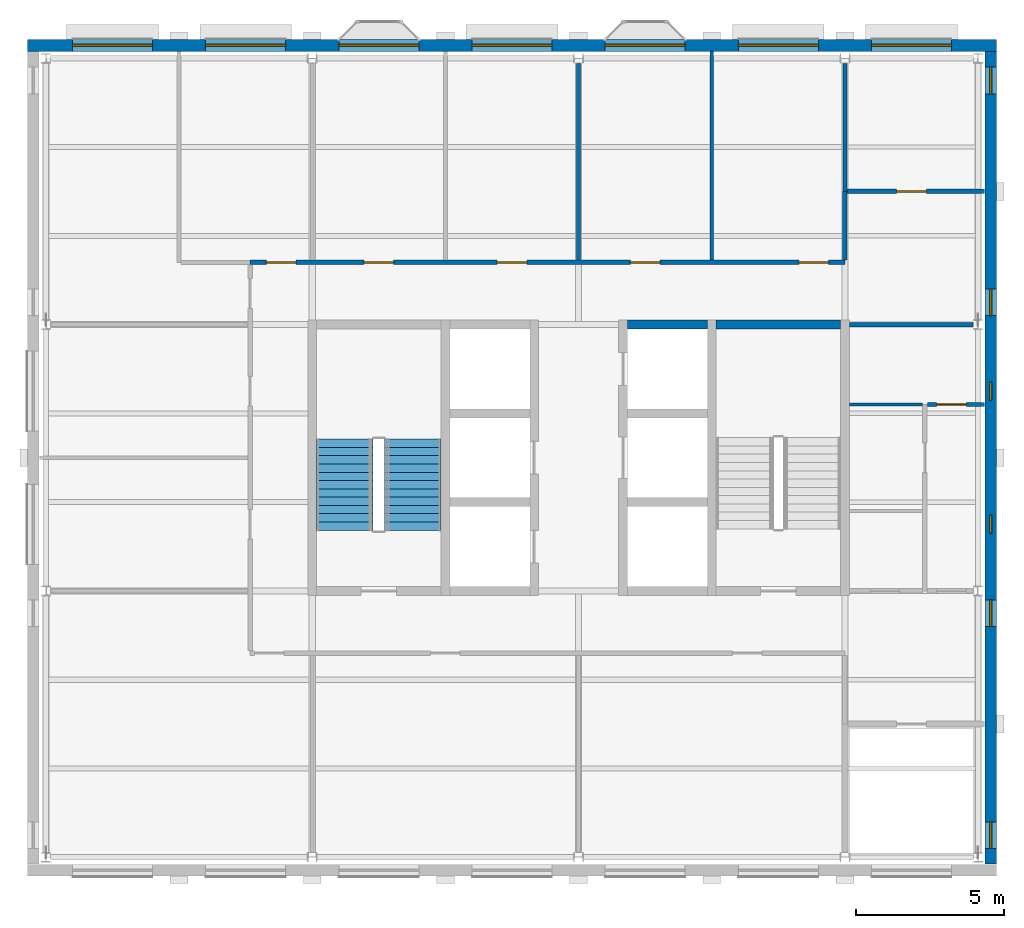
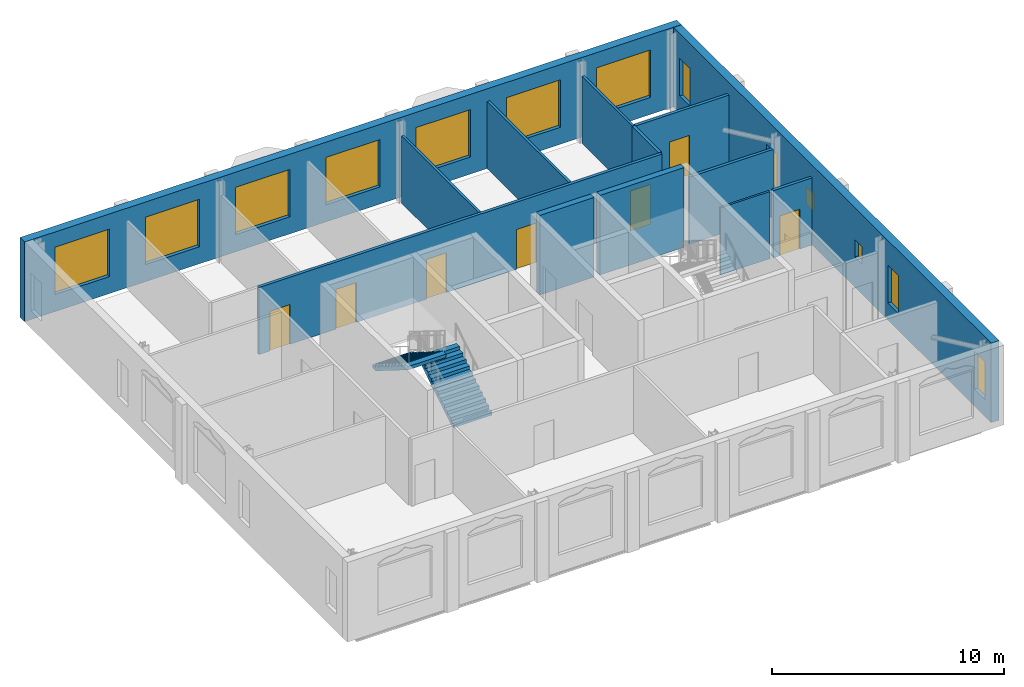
# One storey, part 5 of 9: 13 walls, 13 windows, 7 doors, 2 stair flights, 20 openings, 1 element without a shape of its own.
"""IFC4 building model written with IfcOpenShell, lengths in metres."""

import ifcopenshell
import ifcopenshell.guid

model = None  # the IFC model being written
_history = None  # IfcOwnerHistory: only IFC2X3 demands one
_inside = {}  # id of a spatial element -> (the spatial element, [elements in it])
_under = {}  # id of a project, library or spatial element -> (it, [spatial elements below it])
_declared = {}  # id of a project -> (the project, [libraries it declares])
_typed = {}  # id of a type object -> (the type object, [elements of that type])
_made_of = {}  # id of a material, layer set ... -> (it, [elements and type objects made of it])


def new_model(schema):
    """Start an empty IFC model of exactly this schema.

    Asked for "IFC4X3", IfcOpenShell would pick the latest addendum, in which some entities
    have other attributes; the version numbers below select the first issue.
    IFC2X3 requires an IfcOwnerHistory on every rooted entity: one is made here for all.
    """
    global model, _history
    if schema == "IFC4X3":
        model = ifcopenshell.file(schema_version=(4, 3, 0, 0))
    else:
        model = ifcopenshell.file(schema=schema)
    _inside.clear()
    _under.clear()
    _declared.clear()
    _typed.clear()
    _made_of.clear()
    _history = None
    if model.schema == "IFC2X3":
        org = make("IfcOrganization", Name="unknown")
        user = make(
            "IfcPersonAndOrganization",
            ThePerson=make("IfcPerson", FamilyName="unknown"),
            TheOrganization=org,
        )
        app = make(
            "IfcApplication",
            ApplicationDeveloper=org,
            Version="unknown",
            ApplicationFullName="unknown",
            ApplicationIdentifier="unknown",
        )
        _history = make(
            "IfcOwnerHistory",
            OwningUser=user,
            OwningApplication=app,
            ChangeAction="ADDED",
            CreationDate=0,
        )
    return model


def make(cls, **values):
    """One entity of the class cls with the attributes given. An attribute that is None is left unset."""
    return model.create_entity(
        cls, **{name: value for name, value in values.items() if value is not None}
    )


def rooted(cls, **values):
    """An entity with a GlobalId (a new one), such as an element, a storey or a relation."""
    return make(cls, GlobalId=ifcopenshell.guid.new(), OwnerHistory=_history, **values)


def si_unit(unit_type, name, prefix=None):
    """IfcSIUnit, for example si_unit("LENGTHUNIT", "METRE", prefix="MILLI")."""
    return make("IfcSIUnit", UnitType=unit_type, Prefix=prefix, Name=name)


def assignment(units):
    """IfcUnitAssignment: the units of a project."""
    return None if units is None else make("IfcUnitAssignment", Units=units)


def point(xyz):
    """IfcCartesianPoint."""
    return None if xyz is None else make("IfcCartesianPoint", Coordinates=xyz)


def direction(xyz):
    """IfcDirection."""
    return None if xyz is None else make("IfcDirection", DirectionRatios=xyz)


def frame(location, z_axis=None, x_axis=None):
    """IfcAxis2Placement3D, a coordinate frame: its origin and axes. An axis left out is left unset."""
    return make(
        "IfcAxis2Placement3D",
        Location=point(location),
        Axis=direction(z_axis),
        RefDirection=direction(x_axis),
    )


def frame_2d(location, x_axis=None):
    """IfcAxis2Placement2D, a coordinate frame in the plane: its origin and x axis."""
    return make(
        "IfcAxis2Placement2D", Location=point(location), RefDirection=direction(x_axis)
    )


def origin():
    """The frame at (0, 0, 0) with its axes left unset."""
    return frame((0.0, 0.0, 0.0))


def place(relative_to, where):
    """IfcLocalPlacement: puts the frame where relative to a parent placement (None: the world)."""
    return make(
        "IfcLocalPlacement", PlacementRelTo=relative_to, RelativePlacement=where
    )


def context(
    kind, dimensions, precision=None, world=None, true_north=None, identifier=None
):
    """IfcGeometricRepresentationContext, for example the 3D "Model" context."""
    return make(
        "IfcGeometricRepresentationContext",
        ContextIdentifier=identifier,
        ContextType=kind,
        CoordinateSpaceDimension=dimensions,
        Precision=precision,
        WorldCoordinateSystem=world,
        TrueNorth=true_north,
    )


def subcontext(parent, identifier, kind, view, scale=None):
    """IfcGeometricRepresentationSubContext, for example "Body" below "Model"."""
    return make(
        "IfcGeometricRepresentationSubContext",
        ContextIdentifier=identifier,
        ContextType=kind,
        ParentContext=parent,
        TargetScale=scale,
        TargetView=view,
    )


def project(units=None, contexts=None):
    """IfcProject with its units and contexts."""
    return rooted(
        "IfcProject",
        Name="project",
        RepresentationContexts=contexts,
        UnitsInContext=assignment(units),
    )


def spatial(cls, under=None, at=None, **own):
    """A site, building, storey or space (cls), placed at a placement, below another one or the project."""
    s = rooted(cls, ObjectPlacement=at, **own)
    if under is not None:
        _under.setdefault(under.id(), (under, []))[1].append(s)
    return s


def polyline(points):
    """IfcPolyline through the points."""
    return make("IfcPolyline", Points=[point(p) for p in points])


def profile(cls, at=None, kind="AREA", **sizes):
    """A parametric profile (cls). Its sizes go by their IFC names, for example OverallWidth=200.0."""
    return make(cls, ProfileType=kind, Position=at, **sizes)


def rectangle(**sizes):
    """IfcRectangleProfileDef."""
    return profile("IfcRectangleProfileDef", **sizes)


def outline(outer, holes=None, kind="AREA"):
    """IfcArbitraryClosedProfileDef: a profile drawn as a closed curve; with holes, ...WithVoids."""
    if holes is None:
        return make("IfcArbitraryClosedProfileDef", ProfileType=kind, OuterCurve=outer)
    return make(
        "IfcArbitraryProfileDefWithVoids",
        ProfileType=kind,
        OuterCurve=outer,
        InnerCurves=holes,
    )


def extrude(swept, where, along, depth):
    """IfcExtrudedAreaSolid: the profile swept, set in the frame where, extruded along a direction by depth."""
    return make(
        "IfcExtrudedAreaSolid",
        SweptArea=swept,
        Position=where,
        ExtrudedDirection=direction(along),
        Depth=depth,
    )


def shape(context_of_items, identifier, shape_type, items):
    """IfcShapeRepresentation: the items that make up one representation, for example the "Body"."""
    return make(
        "IfcShapeRepresentation",
        ContextOfItems=context_of_items,
        RepresentationIdentifier=identifier,
        RepresentationType=shape_type,
        Items=items,
    )


def material(Name=None, Category=None):
    """IfcMaterial."""
    return make("IfcMaterial", Name=Name, Category=Category)


def layer(
    of_material, thickness, ventilated=None, Name=None, Category=None, Priority=None
):
    """IfcMaterialLayer: one layer of a wall or slab, of a material (None: an air gap)."""
    return make(
        "IfcMaterialLayer",
        Material=of_material,
        LayerThickness=thickness,
        IsVentilated=ventilated,
        Name=Name,
        Category=Category,
        Priority=Priority,
    )


def layer_set(layers, Name=None):
    """IfcMaterialLayerSet."""
    return make("IfcMaterialLayerSet", MaterialLayers=layers, LayerSetName=Name)


def made_of(thing, what):
    """Note that an element or type object is made of a material, layer set ...; save() writes the relation."""
    if what is not None:
        _made_of.setdefault(what.id(), (what, []))[1].append(thing)
    return thing


def type_object(cls, material=None, **own):
    """A type object (cls), such as IfcWallType, which elements share."""
    return made_of(rooted(cls, **own), material)


def element(
    cls,
    number,
    at=None,
    inside=None,
    cuts=None,
    type_object=None,
    material=None,
    context=None,
    identifier="Body",
    shape_type=None,
    held_by="IfcProductDefinitionShape",
    body=None,
    shapes=None,
    **own,
):
    """One element of the class cls, such as IfcWall. Its Tag is "e" and its number.

    at: its placement. inside: the storey or other place that contains it. cuts: it is an
    opening in that element (IfcRelVoidsElement). A single representation is given by context,
    identifier, shape_type and body (its items); several are given by shapes. held_by: the class
    of the entity that holds the representations. save() writes the other relations.
    """
    e = rooted(cls, Tag="e%d" % number, ObjectPlacement=at, **own)
    if body is not None:
        shapes = [shape(context, identifier, shape_type, body)]
    if shapes is not None:
        e.Representation = make(held_by, Representations=shapes)
    if inside is not None:
        _inside.setdefault(inside.id(), (inside, []))[1].append(e)
    if cuts is not None:
        rooted(
            "IfcRelVoidsElement", RelatingBuildingElement=cuts, RelatedOpeningElement=e
        )
    if type_object is not None:
        _typed.setdefault(type_object.id(), (type_object, []))[1].append(e)
    return made_of(e, material)


def fill(opening, filler):
    """IfcRelFillsElement: the door or window that sits in an opening."""
    return rooted(
        "IfcRelFillsElement",
        RelatingOpeningElement=opening,
        RelatedBuildingElement=filler,
    )


def aggregate(whole, parts):
    """IfcRelAggregates: a whole, such as a stair, and the parts it consists of."""
    return rooted("IfcRelAggregates", RelatingObject=whole, RelatedObjects=parts)


def save(model, path):
    """Write the relations noted so far, then the file.

    IfcRelAggregates (storeys below a building ...), IfcRelContainedInSpatialStructure (elements
    in a storey), IfcRelDefinesByType, IfcRelAssociatesMaterial and IfcRelDeclares: one each for
    every whole, place, type object, material and project.
    """
    for whole, parts in _under.values():
        aggregate(whole, parts)
    for where, things in _inside.values():
        rooted(
            "IfcRelContainedInSpatialStructure",
            RelatedElements=things,
            RelatingStructure=where,
        )
    for kind, things in _typed.values():
        rooted("IfcRelDefinesByType", RelatedObjects=things, RelatingType=kind)
    for what, things in _made_of.values():
        rooted("IfcRelAssociatesMaterial", RelatedObjects=things, RelatingMaterial=what)
    for by, libraries in _declared.values():
        rooted("IfcRelDeclares", RelatingContext=by, RelatedDefinitions=libraries)
    model.write(path)


model = new_model("IFC4")

# Units and contexts
model_context = context("Model", 3, precision=1e-05, world=origin(), true_north=direction((0.0, 1.0)))
body_context = subcontext(model_context, "Body", "Model", "MODEL_VIEW")
ifc_project = project(units=[si_unit("LENGTHUNIT", "METRE"), si_unit("AREAUNIT", "SQUARE_METRE"), si_unit("VOLUMEUNIT", "CUBIC_METRE"), si_unit("PLANEANGLEUNIT", "RADIAN"), si_unit("MASSUNIT", "GRAM", prefix="KILO")], contexts=[model_context])

# Site, building, storey
site_placement = place(None, origin())
site = spatial("IfcSite", under=ifc_project, at=site_placement, CompositionType="ELEMENT")
building_placement = place(site_placement, origin())
building = spatial("IfcBuilding", under=site, at=building_placement, Name="Hortulan Conservatory and Botanical Research Centre", CompositionType="ELEMENT")
storey_placement = place(building_placement, frame((0.0, 0.0, 52.800048828125)))
storey = spatial("IfcBuildingStorey", under=building, at=storey_placement, Name="L12", CompositionType="ELEMENT", Elevation=52.800048828125)

# Walls
ifc_material_1 = material(Name="Concrete N40 (40 MPa, AS 3600)", Category="concrete")
ifc_layer_1 = layer(ifc_material_1, 0.300048828125)
ifc_layer_set_1 = layer_set([ifc_layer_1], Name="Core Wall 300 N40 FRL 240/120/120")
wall_type_1 = type_object("IfcWallType", Name="Core Wall 300 N40 FRL 240/120/120", PredefinedType="SHEAR", material=ifc_layer_set_1)
wall_1_placement = place(storey_placement, frame((19.64990234375, 18.0, 0.0), z_axis=(0.0, 0.0, 1.0), x_axis=(1.0, 0.0, 0.0)))
element("IfcWall", 1, at=wall_1_placement, inside=storey, type_object=wall_type_1, Name="Reinforced concrete shaft wall", PredefinedType="SHEAR", context=body_context, shape_type="SweptSolid", body=[
    extrude(rectangle(XDim=2.7001953125, YDim=0.300048828125, at=frame_2d((1.35009765625, 0.0))), origin(), (0.0, 0.0, 1.0), 4.199951171875),
])
wall_2_placement = place(storey_placement, frame((22.64990234375, 18.0, 0.0), z_axis=(0.0, 0.0, 1.0), x_axis=(1.0, 0.0, 0.0)))
element("IfcWall", 2, at=wall_2_placement, inside=storey, type_object=wall_type_1, Name="Reinforced concrete shaft wall", PredefinedType="SHEAR", context=body_context, shape_type="SweptSolid", body=[
    extrude(rectangle(XDim=4.2001953125, YDim=0.300048828125, at=frame_2d((2.10009765625, 0.0))), origin(), (0.0, 0.0, 1.0), 4.199951171875),
])
ifc_material_2 = material(Name="Plasterboard on steel studs", Category="steel")
ifc_layer_2 = layer(ifc_material_2, 0.14990234375)
ifc_layer_set_2 = layer_set([ifc_layer_2], Name="Corridor Partition 150")
wall_type_2 = type_object("IfcWallType", Name="Corridor Partition 150", PredefinedType="PARTITIONING", material=ifc_layer_set_2)
wall_3_placement = place(storey_placement, frame((27.0, 20.18505859375, 0.0), z_axis=(0.0, 0.0, 1.0), x_axis=(0.0, 1.0, 0.0)))
element("IfcWall", 3, at=wall_3_placement, inside=storey, type_object=wall_type_2, Name="Corridor partition", PredefinedType="PARTITIONING", context=body_context, shape_type="SweptSolid", body=[
    extrude(rectangle(XDim=2.304931640625, YDim=0.14990234375, at=frame_2d((1.15234375, 0.0))), origin(), (0.0, 0.0, 1.0), 3.5419921875),
])
wall_4_placement = place(storey_placement, frame((27.159912109375, 18.0, 0.0), z_axis=(0.0, 0.0, 1.0), x_axis=(1.0, 0.0, 0.0)))
element("IfcWall", 4, at=wall_4_placement, inside=storey, type_object=wall_type_2, Name="Corridor partition", PredefinedType="PARTITIONING", context=body_context, shape_type="SweptSolid", body=[
    extrude(rectangle(XDim=4.175537109375, YDim=0.14990234375, at=frame_2d((2.087890625, 0.0))), origin(), (0.0, 0.0, 1.0), 3.5419921875),
])

# Wall, openings, doors
wall_5_placement = place(storey_placement, frame((6.89990234375, 20.10009765625, 0.0), z_axis=(0.0, 0.0, 1.0), x_axis=(1.0, 0.0, 0.0)))
wall_5 = element("IfcWall", 5, at=wall_5_placement, inside=storey, type_object=wall_type_2, Name="Corridor partition", PredefinedType="PARTITIONING", context=body_context, shape_type="SweptSolid", body=[
    extrude(rectangle(XDim=20.10009765625, YDim=0.14990234375, at=frame_2d((10.050048828125, 0.0))), origin(), (0.0, 0.0, 1.0), 3.5419921875),
])
opening_1_placement = place(wall_5_placement, frame((0.550048828125, 0.0, 0.0)))
opening_1 = element("IfcOpeningElement", 6, at=opening_1_placement, cuts=wall_5, Name="Opening DT1", PredefinedType="OPENING", context=body_context, shape_type="SweptSolid", body=[
    extrude(rectangle(XDim=1.0, YDim=2.10009765625, at=frame_2d((0.5, 1.050048828125))), frame((0.0, 0.0849609375, 0.0), z_axis=(0.0, -1.0, 0.0), x_axis=(1.0, 0.0, 0.0)), (0.0, 0.0, 1.0), 0.169921875),
])
opening_2_placement = place(wall_5_placement, frame((3.85009765625, 0.0, 0.0)))
opening_2 = element("IfcOpeningElement", 7, at=opening_2_placement, cuts=wall_5, Name="Opening DT1", PredefinedType="OPENING", context=body_context, shape_type="SweptSolid", body=[
    extrude(rectangle(XDim=1.0, YDim=2.10009765625, at=frame_2d((0.5, 1.050048828125))), frame((0.0, 0.0849609375, 0.0), z_axis=(0.0, -1.0, 0.0), x_axis=(1.0, 0.0, 0.0)), (0.0, 0.0, 1.0), 0.169921875),
])
opening_3_placement = place(wall_5_placement, frame((8.35009765625, 0.0, 0.0)))
opening_3 = element("IfcOpeningElement", 8, at=opening_3_placement, cuts=wall_5, Name="Opening DT1", PredefinedType="OPENING", context=body_context, shape_type="SweptSolid", body=[
    extrude(rectangle(XDim=1.0, YDim=2.10009765625, at=frame_2d((0.5, 1.050048828125))), frame((0.0, 0.0849609375, 0.0), z_axis=(0.0, -1.0, 0.0), x_axis=(1.0, 0.0, 0.0)), (0.0, 0.0, 1.0), 0.169921875),
])
opening_4_placement = place(wall_5_placement, frame((12.85009765625, 0.0, 0.0)))
opening_4 = element("IfcOpeningElement", 9, at=opening_4_placement, cuts=wall_5, Name="Opening DT1", PredefinedType="OPENING", context=body_context, shape_type="SweptSolid", body=[
    extrude(rectangle(XDim=1.0, YDim=2.10009765625, at=frame_2d((0.5, 1.050048828125))), frame((0.0, 0.0849609375, 0.0), z_axis=(0.0, -1.0, 0.0), x_axis=(1.0, 0.0, 0.0)), (0.0, 0.0, 1.0), 0.169921875),
])
opening_5_placement = place(wall_5_placement, frame((18.550048828125, 0.0, 0.0)))
opening_5 = element("IfcOpeningElement", 10, at=opening_5_placement, cuts=wall_5, Name="Opening DT1", PredefinedType="OPENING", context=body_context, shape_type="SweptSolid", body=[
    extrude(rectangle(XDim=1.0, YDim=2.10009765625, at=frame_2d((0.5, 1.050048828125))), frame((0.0, 0.0849609375, 0.0), z_axis=(0.0, -1.0, 0.0), x_axis=(1.0, 0.0, 0.0)), (0.0, 0.0, 1.0), 0.169921875),
])
ifc_material_3 = material(Name="Timber door leaf in timber frame", Category="wood")
door_type_1 = type_object("IfcDoorType", Name="Single Door 1000x2100", OperationType="NOTDEFINED", PredefinedType="DOOR", material=ifc_material_3)
door_1_placement = place(opening_1_placement, origin())
door_1 = element("IfcDoor", 11, at=door_1_placement, inside=storey, type_object=door_type_1, Name="Door DT1 Print and Copy Room", OperationType="SINGLE_SWING_LEFT", OverallHeight=2.10009765625, OverallWidth=1.0, PredefinedType="DOOR", context=body_context, shape_type="SweptSolid", body=[
    extrude(rectangle(XDim=1.0, YDim=2.10009765625, at=frame_2d((0.5, 1.050048828125))), frame((0.0, 0.02490234375, 0.0), z_axis=(0.0, -1.0, 0.0), x_axis=(1.0, 0.0, 0.0)), (0.0, 0.0, 1.0), 0.050048828125),
])
fill(opening_1, door_1)
door_2_placement = place(opening_2_placement, origin())
door_2 = element("IfcDoor", 12, at=door_2_placement, inside=storey, type_object=door_type_1, Name="Door DT1 Director's Office", OperationType="SINGLE_SWING_RIGHT", OverallHeight=2.10009765625, OverallWidth=1.0, PredefinedType="DOOR", context=body_context, shape_type="SweptSolid", body=[
    extrude(rectangle(XDim=1.0, YDim=2.10009765625, at=frame_2d((0.5, 1.050048828125))), frame((0.0, 0.02490234375, 0.0), z_axis=(0.0, -1.0, 0.0), x_axis=(1.0, 0.0, 0.0)), (0.0, 0.0, 1.0), 0.050048828125),
])
fill(opening_2, door_2)
door_3_placement = place(opening_3_placement, origin())
door_3 = element("IfcDoor", 13, at=door_3_placement, inside=storey, type_object=door_type_1, Name="Door DT1 Quiet Room", OperationType="SINGLE_SWING_LEFT", OverallHeight=2.10009765625, OverallWidth=1.0, PredefinedType="DOOR", context=body_context, shape_type="SweptSolid", body=[
    extrude(rectangle(XDim=1.0, YDim=2.10009765625, at=frame_2d((0.5, 1.050048828125))), frame((0.0, 0.02490234375, 0.0), z_axis=(0.0, -1.0, 0.0), x_axis=(1.0, 0.0, 0.0)), (0.0, 0.0, 1.0), 0.050048828125),
])
fill(opening_3, door_3)
door_4_placement = place(opening_4_placement, origin())
door_4 = element("IfcDoor", 14, at=door_4_placement, inside=storey, type_object=door_type_1, Name="Door DT1 Print and Copy Room", OperationType="SINGLE_SWING_RIGHT", OverallHeight=2.10009765625, OverallWidth=1.0, PredefinedType="DOOR", context=body_context, shape_type="SweptSolid", body=[
    extrude(rectangle(XDim=1.0, YDim=2.10009765625, at=frame_2d((0.5, 1.050048828125))), frame((0.0, 0.02490234375, 0.0), z_axis=(0.0, -1.0, 0.0), x_axis=(1.0, 0.0, 0.0)), (0.0, 0.0, 1.0), 0.050048828125),
])
fill(opening_4, door_4)
door_5_placement = place(opening_5_placement, origin())
door_5 = element("IfcDoor", 15, at=door_5_placement, inside=storey, type_object=door_type_1, Name="Door DT1 Director's Office", OperationType="SINGLE_SWING_LEFT", OverallHeight=2.10009765625, OverallWidth=1.0, PredefinedType="DOOR", context=body_context, shape_type="SweptSolid", body=[
    extrude(rectangle(XDim=1.0, YDim=2.10009765625, at=frame_2d((0.5, 1.050048828125))), frame((0.0, 0.02490234375, 0.0), z_axis=(0.0, -1.0, 0.0), x_axis=(1.0, 0.0, 0.0)), (0.0, 0.0, 1.0), 0.050048828125),
])
fill(opening_5, door_5)

# Wall, opening, door
wall_6_placement = place(storey_placement, frame((27.072509765625, 22.5, 0.0), z_axis=(0.0, 0.0, 1.0), x_axis=(1.0, 0.0, 0.0)))
wall_6 = element("IfcWall", 16, at=wall_6_placement, inside=storey, type_object=wall_type_2, Name="Corridor partition", PredefinedType="PARTITIONING", context=body_context, shape_type="SweptSolid", body=[
    extrude(rectangle(XDim=4.642578125, YDim=0.14990234375, at=frame_2d((2.3212890625, 0.0))), origin(), (0.0, 0.0, 1.0), 3.5419921875),
])
opening_6_placement = place(wall_6_placement, frame((1.677490234375, 0.0, 0.0)))
opening_6 = element("IfcOpeningElement", 17, at=opening_6_placement, cuts=wall_6, Name="Opening DT1", PredefinedType="OPENING", context=body_context, shape_type="SweptSolid", body=[
    extrude(rectangle(XDim=1.0, YDim=2.10009765625, at=frame_2d((0.5, 1.050048828125))), frame((0.0, 0.0849609375, 0.0), z_axis=(0.0, -1.0, 0.0), x_axis=(1.0, 0.0, 0.0)), (0.0, 0.0, 1.0), 0.169921875),
])
door_6_placement = place(opening_6_placement, origin())
door_6 = element("IfcDoor", 18, at=door_6_placement, inside=storey, type_object=door_type_1, Name="Door DT1 Director's Office", OperationType="SINGLE_SWING_RIGHT", OverallHeight=2.10009765625, OverallWidth=1.0, PredefinedType="DOOR", context=body_context, shape_type="SweptSolid", body=[
    extrude(rectangle(XDim=1.0, YDim=2.10009765625, at=frame_2d((0.5, 1.050048828125))), frame((0.0, 0.02490234375, 0.0), z_axis=(0.0, -1.0, 0.0), x_axis=(1.0, 0.0, 0.0)), (0.0, 0.0, 1.0), 0.050048828125),
])
fill(opening_6, door_6)

# Wall, openings, windows
ifc_material_4 = material(Name="Faience-faced brickwork masonry", Category="masonry")
ifc_layer_3 = layer(ifc_material_4, 0.39990234375)
ifc_layer_set_3 = layer_set([ifc_layer_3], Name="Faience-faced Masonry Cavity Wall 400")
wall_type_3 = type_object("IfcWallType", Name="Faience-faced Masonry Cavity Wall 400", PredefinedType="STANDARD", material=ifc_layer_set_3)
wall_7_placement = place(storey_placement, frame((-0.625, 27.43603515625, 0.0), z_axis=(0.0, 0.0, 1.0), x_axis=(1.0, 0.0, 0.0)))
wall_7 = element("IfcWall", 19, at=wall_7_placement, inside=storey, type_object=wall_type_3, Name="E-EW-TW-L12-N3", PredefinedType="STANDARD", context=body_context, shape_type="SweptSolid", body=[
    extrude(rectangle(XDim=32.75, YDim=0.39990234375, at=frame_2d((16.375, 0.0))), origin(), (0.0, 0.0, 1.0), 4.199951171875),
])
opening_7_placement = place(wall_7_placement, frame((1.52490234375, 0.0, 0.89990234375)))
opening_7 = element("IfcOpeningElement", 20, at=opening_7_placement, cuts=wall_7, Name="Opening W4", PredefinedType="OPENING", context=body_context, shape_type="SweptSolid", body=[
    extrude(rectangle(XDim=2.699951171875, YDim=2.5, at=frame_2d((1.35009765625, 1.25))), frame((0.0, 0.2099609375, 0.0), z_axis=(0.0, -1.0, 0.0), x_axis=(1.0, 0.0, 0.0)), (0.0, 0.0, 1.0), 0.419921875),
])
opening_8_placement = place(wall_7_placement, frame((6.02490234375, 0.0, 0.89990234375)))
opening_8 = element("IfcOpeningElement", 21, at=opening_8_placement, cuts=wall_7, Name="Opening W4", PredefinedType="OPENING", context=body_context, shape_type="SweptSolid", body=[
    extrude(rectangle(XDim=2.699951171875, YDim=2.5, at=frame_2d((1.35009765625, 1.25))), frame((0.0, 0.2099609375, 0.0), z_axis=(0.0, -1.0, 0.0), x_axis=(1.0, 0.0, 0.0)), (0.0, 0.0, 1.0), 0.419921875),
])
opening_9_placement = place(wall_7_placement, frame((10.52490234375, 0.0, 0.89990234375)))
opening_9 = element("IfcOpeningElement", 22, at=opening_9_placement, cuts=wall_7, Name="Opening W4", PredefinedType="OPENING", context=body_context, shape_type="SweptSolid", body=[
    extrude(rectangle(XDim=2.699951171875, YDim=2.5, at=frame_2d((1.35009765625, 1.25))), frame((0.0, 0.2099609375, 0.0), z_axis=(0.0, -1.0, 0.0), x_axis=(1.0, 0.0, 0.0)), (0.0, 0.0, 1.0), 0.419921875),
])
opening_10_placement = place(wall_7_placement, frame((15.02490234375, 0.0, 0.89990234375)))
opening_10 = element("IfcOpeningElement", 23, at=opening_10_placement, cuts=wall_7, Name="Opening W4", PredefinedType="OPENING", context=body_context, shape_type="SweptSolid", body=[
    extrude(rectangle(XDim=2.699951171875, YDim=2.5, at=frame_2d((1.35009765625, 1.25))), frame((0.0, 0.2099609375, 0.0), z_axis=(0.0, -1.0, 0.0), x_axis=(1.0, 0.0, 0.0)), (0.0, 0.0, 1.0), 0.419921875),
])
opening_11_placement = place(wall_7_placement, frame((19.52490234375, 0.0, 0.89990234375)))
opening_11 = element("IfcOpeningElement", 24, at=opening_11_placement, cuts=wall_7, Name="Opening W4", PredefinedType="OPENING", context=body_context, shape_type="SweptSolid", body=[
    extrude(rectangle(XDim=2.699951171875, YDim=2.5, at=frame_2d((1.35009765625, 1.25))), frame((0.0, 0.2099609375, 0.0), z_axis=(0.0, -1.0, 0.0), x_axis=(1.0, 0.0, 0.0)), (0.0, 0.0, 1.0), 0.419921875),
])
opening_12_placement = place(wall_7_placement, frame((24.02490234375, 0.0, 0.89990234375)))
opening_12 = element("IfcOpeningElement", 25, at=opening_12_placement, cuts=wall_7, Name="Opening W4", PredefinedType="OPENING", context=body_context, shape_type="SweptSolid", body=[
    extrude(rectangle(XDim=2.699951171875, YDim=2.5, at=frame_2d((1.35009765625, 1.25))), frame((0.0, 0.2099609375, 0.0), z_axis=(0.0, -1.0, 0.0), x_axis=(1.0, 0.0, 0.0)), (0.0, 0.0, 1.0), 0.419921875),
])
opening_13_placement = place(wall_7_placement, frame((28.52490234375, 0.0, 0.89990234375)))
opening_13 = element("IfcOpeningElement", 26, at=opening_13_placement, cuts=wall_7, Name="Opening W4", PredefinedType="OPENING", context=body_context, shape_type="SweptSolid", body=[
    extrude(rectangle(XDim=2.699951171875, YDim=2.5, at=frame_2d((1.35009765625, 1.25))), frame((0.0, 0.2099609375, 0.0), z_axis=(0.0, -1.0, 0.0), x_axis=(1.0, 0.0, 0.0)), (0.0, 0.0, 1.0), 0.419921875),
])
ifc_material_5 = material(Name="Bronze-finished aluminium frame with low-e laminated double glazing", Category="aluminium")
window_type_1 = type_object("IfcWindowType", Name="Faience Window 2700x2500", PartitioningType="SINGLE_PANEL", PredefinedType="WINDOW", material=ifc_material_5)
window_1_placement = place(opening_7_placement, origin())
window_1 = element("IfcWindow", 27, at=window_1_placement, inside=storey, type_object=window_type_1, Name="Faience window", OverallHeight=2.5, OverallWidth=2.699951171875, PartitioningType="SINGLE_PANEL", PredefinedType="WINDOW", context=body_context, shape_type="SweptSolid", body=[
    extrude(rectangle(XDim=2.699951171875, YDim=2.5, at=frame_2d((1.35009765625, 1.25))), frame((0.0, 0.030029296875, 0.0), z_axis=(0.0, -1.0, 0.0), x_axis=(1.0, 0.0, 0.0)), (0.0, 0.0, 1.0), 0.06005859375),
])
fill(opening_7, window_1)
window_2_placement = place(opening_8_placement, origin())
window_2 = element("IfcWindow", 28, at=window_2_placement, inside=storey, type_object=window_type_1, Name="Faience window", OverallHeight=2.5, OverallWidth=2.699951171875, PartitioningType="SINGLE_PANEL", PredefinedType="WINDOW", context=body_context, shape_type="SweptSolid", body=[
    extrude(rectangle(XDim=2.699951171875, YDim=2.5, at=frame_2d((1.35009765625, 1.25))), frame((0.0, 0.030029296875, 0.0), z_axis=(0.0, -1.0, 0.0), x_axis=(1.0, 0.0, 0.0)), (0.0, 0.0, 1.0), 0.06005859375),
])
fill(opening_8, window_2)
window_3_placement = place(opening_9_placement, origin())
window_3 = element("IfcWindow", 29, at=window_3_placement, inside=storey, type_object=window_type_1, Name="Faience window", OverallHeight=2.5, OverallWidth=2.699951171875, PartitioningType="SINGLE_PANEL", PredefinedType="WINDOW", context=body_context, shape_type="SweptSolid", body=[
    extrude(rectangle(XDim=2.699951171875, YDim=2.5, at=frame_2d((1.35009765625, 1.25))), frame((0.0, 0.030029296875, 0.0), z_axis=(0.0, -1.0, 0.0), x_axis=(1.0, 0.0, 0.0)), (0.0, 0.0, 1.0), 0.06005859375),
])
fill(opening_9, window_3)
window_4_placement = place(opening_10_placement, origin())
window_4 = element("IfcWindow", 30, at=window_4_placement, inside=storey, type_object=window_type_1, Name="Faience window", OverallHeight=2.5, OverallWidth=2.699951171875, PartitioningType="SINGLE_PANEL", PredefinedType="WINDOW", context=body_context, shape_type="SweptSolid", body=[
    extrude(rectangle(XDim=2.699951171875, YDim=2.5, at=frame_2d((1.35009765625, 1.25))), frame((0.0, 0.030029296875, 0.0), z_axis=(0.0, -1.0, 0.0), x_axis=(1.0, 0.0, 0.0)), (0.0, 0.0, 1.0), 0.06005859375),
])
fill(opening_10, window_4)
window_5_placement = place(opening_11_placement, origin())
window_5 = element("IfcWindow", 31, at=window_5_placement, inside=storey, type_object=window_type_1, Name="Faience window", OverallHeight=2.5, OverallWidth=2.699951171875, PartitioningType="SINGLE_PANEL", PredefinedType="WINDOW", context=body_context, shape_type="SweptSolid", body=[
    extrude(rectangle(XDim=2.699951171875, YDim=2.5, at=frame_2d((1.35009765625, 1.25))), frame((0.0, 0.030029296875, 0.0), z_axis=(0.0, -1.0, 0.0), x_axis=(1.0, 0.0, 0.0)), (0.0, 0.0, 1.0), 0.06005859375),
])
fill(opening_11, window_5)
window_6_placement = place(opening_12_placement, origin())
window_6 = element("IfcWindow", 32, at=window_6_placement, inside=storey, type_object=window_type_1, Name="Faience window", OverallHeight=2.5, OverallWidth=2.699951171875, PartitioningType="SINGLE_PANEL", PredefinedType="WINDOW", context=body_context, shape_type="SweptSolid", body=[
    extrude(rectangle(XDim=2.699951171875, YDim=2.5, at=frame_2d((1.35009765625, 1.25))), frame((0.0, 0.030029296875, 0.0), z_axis=(0.0, -1.0, 0.0), x_axis=(1.0, 0.0, 0.0)), (0.0, 0.0, 1.0), 0.06005859375),
])
fill(opening_12, window_6)
window_7_placement = place(opening_13_placement, origin())
window_7 = element("IfcWindow", 33, at=window_7_placement, inside=storey, type_object=window_type_1, Name="Faience window", OverallHeight=2.5, OverallWidth=2.699951171875, PartitioningType="SINGLE_PANEL", PredefinedType="WINDOW", context=body_context, shape_type="SweptSolid", body=[
    extrude(rectangle(XDim=2.699951171875, YDim=2.5, at=frame_2d((1.35009765625, 1.25))), frame((0.0, 0.030029296875, 0.0), z_axis=(0.0, -1.0, 0.0), x_axis=(1.0, 0.0, 0.0)), (0.0, 0.0, 1.0), 0.06005859375),
])
fill(opening_13, window_7)

wall_8_placement = place(storey_placement, frame((31.925048828125, 27.22509765625, 0.0), z_axis=(0.0, 0.0, 1.0), x_axis=(0.0, -1.0, 0.0)))
wall_8 = element("IfcWall", 34, at=wall_8_placement, inside=storey, type_object=wall_type_3, Name="E-EW-TW-L12-E4", PredefinedType="STANDARD", context=body_context, shape_type="SweptSolid", body=[
    extrude(rectangle(XDim=27.4501953125, YDim=0.39990234375, at=frame_2d((13.72509765625, 0.0))), origin(), (0.0, 0.0, 1.0), 4.199951171875),
])
opening_14_placement = place(wall_8_placement, frame((26.02490234375, 0.0, 0.89990234375)))
opening_14 = element("IfcOpeningElement", 35, at=opening_14_placement, cuts=wall_8, Name="Opening W5", PredefinedType="OPENING", context=body_context, shape_type="SweptSolid", body=[
    extrude(rectangle(XDim=0.89990234375, YDim=2.0, at=frame_2d((0.449951171875, 1.0))), frame((0.0, 0.2099609375, 0.0), z_axis=(0.0, -1.0, 0.0), x_axis=(1.0, 0.0, 0.0)), (0.0, 0.0, 1.0), 0.419921875),
])
opening_15_placement = place(wall_8_placement, frame((18.52490234375, 0.0, 0.89990234375)))
opening_15 = element("IfcOpeningElement", 36, at=opening_15_placement, cuts=wall_8, Name="Opening W5", PredefinedType="OPENING", context=body_context, shape_type="SweptSolid", body=[
    extrude(rectangle(XDim=0.89990234375, YDim=2.0, at=frame_2d((0.449951171875, 1.0))), frame((0.0, 0.2099609375, 0.0), z_axis=(0.0, -1.0, 0.0), x_axis=(1.0, 0.0, 0.0)), (0.0, 0.0, 1.0), 0.419921875),
])
opening_16_placement = place(wall_8_placement, frame((15.675048828125, 0.0, 1.60009765625)))
opening_16 = element("IfcOpeningElement", 37, at=opening_16_placement, cuts=wall_8, Name="Opening W3", PredefinedType="OPENING", context=body_context, shape_type="SweptSolid", body=[
    extrude(rectangle(XDim=0.60009765625, YDim=0.89990234375, at=frame_2d((0.300048828125, 0.449951171875))), frame((0.0, 0.2099609375, 0.0), z_axis=(0.0, -1.0, 0.0), x_axis=(1.0, 0.0, 0.0)), (0.0, 0.0, 1.0), 0.419921875),
])
opening_17_placement = place(wall_8_placement, frame((11.175048828125, 0.0, 1.60009765625)))
opening_17 = element("IfcOpeningElement", 38, at=opening_17_placement, cuts=wall_8, Name="Opening W3", PredefinedType="OPENING", context=body_context, shape_type="SweptSolid", body=[
    extrude(rectangle(XDim=0.60009765625, YDim=0.89990234375, at=frame_2d((0.300048828125, 0.449951171875))), frame((0.0, 0.2099609375, 0.0), z_axis=(0.0, -1.0, 0.0), x_axis=(1.0, 0.0, 0.0)), (0.0, 0.0, 1.0), 0.419921875),
])
opening_18_placement = place(wall_8_placement, frame((8.02490234375, 0.0, 0.89990234375)))
opening_18 = element("IfcOpeningElement", 39, at=opening_18_placement, cuts=wall_8, Name="Opening W5", PredefinedType="OPENING", context=body_context, shape_type="SweptSolid", body=[
    extrude(rectangle(XDim=0.89990234375, YDim=2.0, at=frame_2d((0.449951171875, 1.0))), frame((0.0, 0.2099609375, 0.0), z_axis=(0.0, -1.0, 0.0), x_axis=(1.0, 0.0, 0.0)), (0.0, 0.0, 1.0), 0.419921875),
])
opening_19_placement = place(wall_8_placement, frame((0.52490234375, 0.0, 0.89990234375)))
opening_19 = element("IfcOpeningElement", 40, at=opening_19_placement, cuts=wall_8, Name="Opening W5", PredefinedType="OPENING", context=body_context, shape_type="SweptSolid", body=[
    extrude(rectangle(XDim=0.89990234375, YDim=2.0, at=frame_2d((0.449951171875, 1.0))), frame((0.0, 0.2099609375, 0.0), z_axis=(0.0, -1.0, 0.0), x_axis=(1.0, 0.0, 0.0)), (0.0, 0.0, 1.0), 0.419921875),
])
window_type_2 = type_object("IfcWindowType", Name="Faience Pier Window 900x2000", PartitioningType="SINGLE_PANEL", PredefinedType="WINDOW", material=ifc_material_5)
window_8_placement = place(opening_14_placement, origin())
window_8 = element("IfcWindow", 41, at=window_8_placement, inside=storey, type_object=window_type_2, Name="Faience Pier window", OverallHeight=2.0, OverallWidth=0.89990234375, PartitioningType="SINGLE_PANEL", PredefinedType="WINDOW", context=body_context, shape_type="SweptSolid", body=[
    extrude(rectangle(XDim=0.89990234375, YDim=2.0, at=frame_2d((0.449951171875, 1.0))), frame((0.0, 0.030029296875, 0.0), z_axis=(0.0, -1.0, 0.0), x_axis=(1.0, 0.0, 0.0)), (0.0, 0.0, 1.0), 0.06005859375),
])
fill(opening_14, window_8)
window_9_placement = place(opening_15_placement, origin())
window_9 = element("IfcWindow", 42, at=window_9_placement, inside=storey, type_object=window_type_2, Name="Faience Pier window", OverallHeight=2.0, OverallWidth=0.89990234375, PartitioningType="SINGLE_PANEL", PredefinedType="WINDOW", context=body_context, shape_type="SweptSolid", body=[
    extrude(rectangle(XDim=0.89990234375, YDim=2.0, at=frame_2d((0.449951171875, 1.0))), frame((0.0, 0.030029296875, 0.0), z_axis=(0.0, -1.0, 0.0), x_axis=(1.0, 0.0, 0.0)), (0.0, 0.0, 1.0), 0.06005859375),
])
fill(opening_15, window_9)
window_10_placement = place(opening_18_placement, origin())
window_10 = element("IfcWindow", 43, at=window_10_placement, inside=storey, type_object=window_type_2, Name="Faience Pier window", OverallHeight=2.0, OverallWidth=0.89990234375, PartitioningType="SINGLE_PANEL", PredefinedType="WINDOW", context=body_context, shape_type="SweptSolid", body=[
    extrude(rectangle(XDim=0.89990234375, YDim=2.0, at=frame_2d((0.449951171875, 1.0))), frame((0.0, 0.030029296875, 0.0), z_axis=(0.0, -1.0, 0.0), x_axis=(1.0, 0.0, 0.0)), (0.0, 0.0, 1.0), 0.06005859375),
])
fill(opening_18, window_10)
window_11_placement = place(opening_19_placement, origin())
window_11 = element("IfcWindow", 44, at=window_11_placement, inside=storey, type_object=window_type_2, Name="Faience Pier window", OverallHeight=2.0, OverallWidth=0.89990234375, PartitioningType="SINGLE_PANEL", PredefinedType="WINDOW", context=body_context, shape_type="SweptSolid", body=[
    extrude(rectangle(XDim=0.89990234375, YDim=2.0, at=frame_2d((0.449951171875, 1.0))), frame((0.0, 0.030029296875, 0.0), z_axis=(0.0, -1.0, 0.0), x_axis=(1.0, 0.0, 0.0)), (0.0, 0.0, 1.0), 0.06005859375),
])
fill(opening_19, window_11)
window_type_3 = type_object("IfcWindowType", Name="Slot Window 600x900", PartitioningType="SINGLE_PANEL", PredefinedType="WINDOW", material=ifc_material_5)
window_12_placement = place(opening_16_placement, origin())
window_12 = element("IfcWindow", 45, at=window_12_placement, inside=storey, type_object=window_type_3, Name="Slot window", OverallHeight=0.89990234375, OverallWidth=0.60009765625, PartitioningType="SINGLE_PANEL", PredefinedType="WINDOW", context=body_context, shape_type="SweptSolid", body=[
    extrude(rectangle(XDim=0.60009765625, YDim=0.89990234375, at=frame_2d((0.300048828125, 0.449951171875))), frame((0.0, 0.030029296875, 0.0), z_axis=(0.0, -1.0, 0.0), x_axis=(1.0, 0.0, 0.0)), (0.0, 0.0, 1.0), 0.06005859375),
])
fill(opening_16, window_12)
window_13_placement = place(opening_17_placement, origin())
window_13 = element("IfcWindow", 46, at=window_13_placement, inside=storey, type_object=window_type_3, Name="Slot window", OverallHeight=0.89990234375, OverallWidth=0.60009765625, PartitioningType="SINGLE_PANEL", PredefinedType="WINDOW", context=body_context, shape_type="SweptSolid", body=[
    extrude(rectangle(XDim=0.60009765625, YDim=0.89990234375, at=frame_2d((0.300048828125, 0.449951171875))), frame((0.0, 0.030029296875, 0.0), z_axis=(0.0, -1.0, 0.0), x_axis=(1.0, 0.0, 0.0)), (0.0, 0.0, 1.0), 0.06005859375),
])
fill(opening_17, window_13)

# Wall, opening, door
ifc_material_6 = material(Name="Fire-rated plasterboard on steel studs", Category="steel")
ifc_layer_4 = layer(ifc_material_6, 0.14990234375)
ifc_layer_set_4 = layer_set([ifc_layer_4], Name="Lobby Partition 150")
wall_type_4 = type_object("IfcWallType", Name="Lobby Partition 150", PredefinedType="PARTITIONING", material=ifc_layer_set_4)
wall_9_placement = place(storey_placement, frame((29.784912109375, 15.300048828125, 0.0), z_axis=(0.0, 0.0, 1.0), x_axis=(1.0, 0.0, 0.0)))
wall_9 = element("IfcWall", 47, at=wall_9_placement, inside=storey, type_object=wall_type_4, Name="Lobby partition", PredefinedType="PARTITIONING", context=body_context, shape_type="SweptSolid", body=[
    extrude(rectangle(XDim=1.93017578125, YDim=0.14990234375, at=frame_2d((0.965087890625, 0.0))), origin(), (0.0, 0.0, 1.0), 3.5419921875),
])
opening_20_placement = place(wall_9_placement, frame((0.31494140625, 0.0, 0.0)))
opening_20 = element("IfcOpeningElement", 48, at=opening_20_placement, cuts=wall_9, Name="Opening DT4", PredefinedType="OPENING", context=body_context, shape_type="SweptSolid", body=[
    extrude(rectangle(XDim=1.0, YDim=2.10009765625, at=frame_2d((0.5, 1.050048828125))), frame((0.0, 0.0849609375, 0.0), z_axis=(0.0, -1.0, 0.0), x_axis=(1.0, 0.0, 0.0)), (0.0, 0.0, 1.0), 0.169921875),
])
ifc_material_7 = material(Name="Steel door leaf, insulated", Category="steel")
door_type_2 = type_object("IfcDoorType", Name="Fire Door 1000x2100 FRL -/60/30", OperationType="NOTDEFINED", PredefinedType="DOOR", material=ifc_material_7)
door_7_placement = place(opening_20_placement, origin())
door_7 = element("IfcDoor", 49, at=door_7_placement, inside=storey, type_object=door_type_2, Name="Door DT4 Men's WC", OperationType="SINGLE_SWING_RIGHT", OverallHeight=2.10009765625, OverallWidth=1.0, PredefinedType="DOOR", context=body_context, shape_type="SweptSolid", body=[
    extrude(rectangle(XDim=1.0, YDim=2.10009765625, at=frame_2d((0.5, 1.050048828125))), frame((0.0, 0.02490234375, 0.0), z_axis=(0.0, -1.0, 0.0), x_axis=(1.0, 0.0, 0.0)), (0.0, 0.0, 1.0), 0.050048828125),
])
fill(opening_20, door_7)

# Walls
ifc_layer_5 = layer(ifc_material_2, 0.125)
ifc_layer_set_5 = layer_set([ifc_layer_5], Name="Partition 125")
wall_type_5 = type_object("IfcWallType", Name="Partition 125", PredefinedType="PARTITIONING", material=ifc_layer_set_5)
wall_10_placement = place(storey_placement, frame((18.0, 20.18505859375, 0.0), z_axis=(0.0, 0.0, 1.0), x_axis=(0.0, 1.0, 0.0)))
element("IfcWall", 50, at=wall_10_placement, inside=storey, type_object=wall_type_5, Name="Partition", PredefinedType="PARTITIONING", context=body_context, shape_type="SweptSolid", body=[
    extrude(rectangle(XDim=6.64453125, YDim=0.125, at=frame_2d((3.322265625, 0.0))), origin(), (0.0, 0.0, 1.0), 3.5419921875),
])
wall_11_placement = place(storey_placement, frame((22.5, 20.18505859375, 0.0), z_axis=(0.0, 0.0, 1.0), x_axis=(0.0, 1.0, 0.0)))
element("IfcWall", 51, at=wall_11_placement, inside=storey, type_object=wall_type_5, Name="Partition", PredefinedType="PARTITIONING", context=body_context, shape_type="SweptSolid", body=[
    extrude(rectangle(XDim=7.041015625, YDim=0.125, at=frame_2d((3.5205078125, 0.0))), origin(), (0.0, 0.0, 1.0), 3.5419921875),
])
wall_12_placement = place(storey_placement, frame((27.0, 22.5, 0.0), z_axis=(0.0, 0.0, 1.0), x_axis=(0.0, 1.0, 0.0)))
element("IfcWall", 52, at=wall_12_placement, inside=storey, type_object=wall_type_5, Name="Partition", PredefinedType="PARTITIONING", context=body_context, shape_type="SweptSolid", body=[
    extrude(rectangle(XDim=4.32958984375, YDim=0.125, at=frame_2d((2.164794921875, 0.0))), origin(), (0.0, 0.0, 1.0), 3.5419921875),
])
ifc_material_8 = material(Name="Moisture-resistant plasterboard on steel studs", Category="steel")
ifc_layer_6 = layer(ifc_material_8, 0.10009765625)
ifc_layer_set_6 = layer_set([ifc_layer_6], Name="Wet Area Partition 100")
wall_type_6 = type_object("IfcWallType", Name="Wet Area Partition 100", PredefinedType="PARTITIONING", material=ifc_layer_set_6)
wall_13_placement = place(storey_placement, frame((27.159912109375, 15.300048828125, 0.0), z_axis=(0.0, 0.0, 1.0), x_axis=(1.0, 0.0, 0.0)))
element("IfcWall", 53, at=wall_13_placement, inside=storey, type_object=wall_type_6, Name="Toilet partition", PredefinedType="PARTITIONING", context=body_context, shape_type="SweptSolid", body=[
    extrude(rectangle(XDim=2.455078125, YDim=0.10009765625, at=frame_2d((1.2275390625, 0.0))), origin(), (0.0, 0.0, 1.0), 3.5419921875),
])

# Stair, stair flights
stair_type = type_object("IfcStairType", Name="Concrete Escape Stair 1900", PredefinedType="HALF_TURN_STAIR", material=ifc_material_1)
stair_placement = place(storey_placement, origin())
stair = element("IfcStair", 54, at=stair_placement, inside=storey, type_object=stair_type, Name="Stair T1 L12", PredefinedType="HALF_TURN_STAIR")
ifc_layer_7 = layer(ifc_material_1, 0.14990234375)
ifc_layer_set_7 = layer_set([ifc_layer_7], Name="Stair Flight 1900 wide, riser 175")
stair_flight_type = type_object("IfcStairFlightType", Name="Stair Flight 1900 wide, riser 175", PredefinedType="STRAIGHT", material=ifc_layer_set_7)
stair_flight_1_placement = place(storey_placement, frame((12.39990234375, 11.050048828125, 0.0), z_axis=(0.0, 0.0, 1.0), x_axis=(0.0, 1.0, 0.0)))
stair_flight_1 = element("IfcStairFlight", 55, at=stair_flight_1_placement, type_object=stair_flight_type, Name="Stair T1 L12 flight 1", NumberOfRisers=12, NumberOfTreads=11, PredefinedType="STRAIGHT", RiserHeight=0.175, TreadLength=0.28, context=body_context, shape_type="SweptSolid", body=[
    extrude(outline(polyline([(0.0, 0.0), (0.0, 0.175048828125), (0.280029296875, 0.175048828125), (0.280029296875, 0.35009765625), (0.56005859375, 0.35009765625), (0.56005859375, 0.52490234375), (0.840087890625, 0.52490234375), (0.840087890625, 0.699951171875), (1.1201171875, 0.699951171875), (1.1201171875, 0.875), (1.39990234375, 0.875), (1.39990234375, 1.050048828125), (1.679931640625, 1.050048828125), (1.679931640625, 1.22509765625), (1.9599609375, 1.22509765625), (1.9599609375, 1.39990234375), (2.239990234375, 1.39990234375), (2.239990234375, 1.574951171875), (2.52001953125, 1.574951171875), (2.52001953125, 1.75), (2.800048828125, 1.75), (2.800048828125, 1.925048828125), (3.080078125, 1.925048828125), (3.080078125, 2.10009765625), (3.080078125, 1.748291015625), (0.28271484375, 0.0), (0.0, 0.0)])), frame((0.0, 0.949951171875, 0.0), z_axis=(0.0, -1.0, 0.0), x_axis=(1.0, 0.0, 0.0)), (0.0, 0.0, 1.0), 1.89990234375),
])
stair_flight_2_placement = place(storey_placement, frame((10.10009765625, 14.1298828125, 2.099853515625), z_axis=(0.0, 0.0, 1.0), x_axis=(0.0, -1.0, 0.0)))
stair_flight_2 = element("IfcStairFlight", 56, at=stair_flight_2_placement, type_object=stair_flight_type, Name="Stair T1 L12 flight 2", NumberOfRisers=12, NumberOfTreads=11, PredefinedType="STRAIGHT", RiserHeight=0.175, TreadLength=0.28, context=body_context, shape_type="SweptSolid", body=[
    extrude(outline(polyline([(0.0, 0.0), (0.0, 0.175048828125), (0.280029296875, 0.175048828125), (0.280029296875, 0.35009765625), (0.56005859375, 0.35009765625), (0.56005859375, 0.52490234375), (0.840087890625, 0.52490234375), (0.840087890625, 0.699951171875), (1.1201171875, 0.699951171875), (1.1201171875, 0.875), (1.39990234375, 0.875), (1.39990234375, 1.050048828125), (1.679931640625, 1.050048828125), (1.679931640625, 1.22509765625), (1.9599609375, 1.22509765625), (1.9599609375, 1.39990234375), (2.239990234375, 1.39990234375), (2.239990234375, 1.574951171875), (2.52001953125, 1.574951171875), (2.52001953125, 1.75), (2.800048828125, 1.75), (2.800048828125, 1.925048828125), (3.080078125, 1.925048828125), (3.080078125, 2.10009765625), (3.080078125, 1.748291015625), (0.28271484375, 0.0), (0.0, 0.0)])), frame((0.0, 0.949951171875, 0.0), z_axis=(0.0, -1.0, 0.0), x_axis=(1.0, 0.0, 0.0)), (0.0, 0.0, 1.0), 1.89990234375),
])
aggregate(stair, [stair_flight_1, stair_flight_2])

save(model, "model.ifc")
